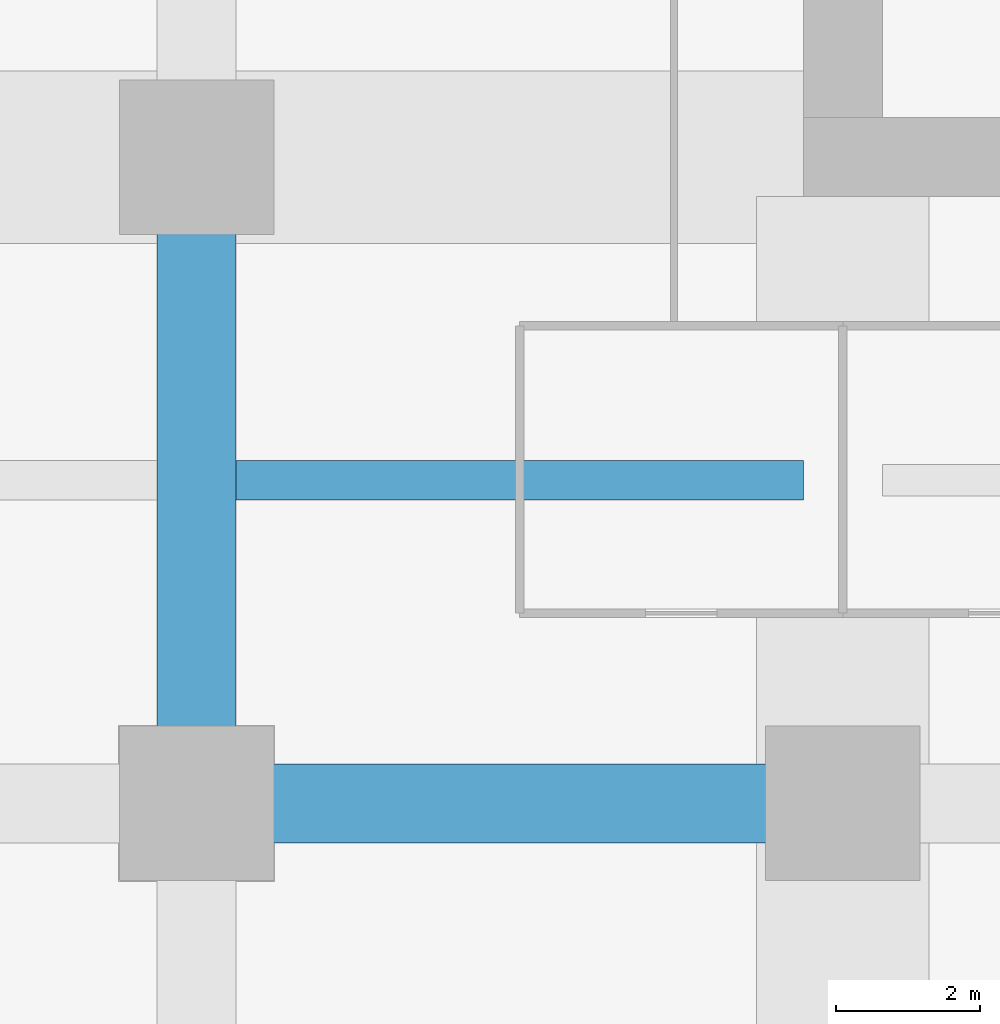
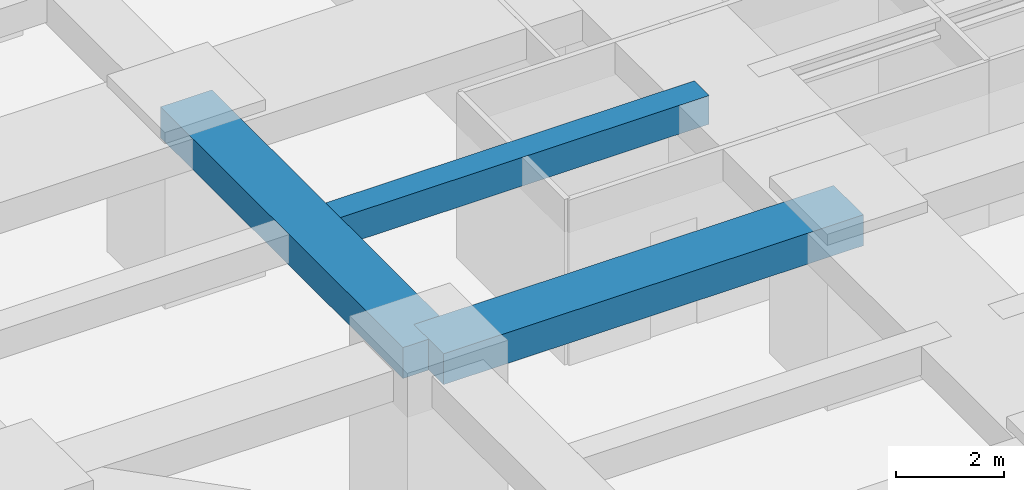
# One storey, part 5 of 44: 3 beams.
"""IFC4 building model written with IfcOpenShell, lengths in metres."""

from ifc_helpers import new_model, si_unit, direction, frame, origin, origin_2d, place, context, subcontext, project, spatial, rectangle, extrude, material, material_profile, profile_set, type_object, element, save


model = new_model("IFC4")

# Units and contexts
model_context = context("Model", 3, precision=1e-05, world=origin(), true_north=direction((0.0, 1.0)))
body_context = subcontext(model_context, "Body", "Model", "MODEL_VIEW")
ifc_project = project(units=[si_unit("LENGTHUNIT", "METRE"), si_unit("AREAUNIT", "SQUARE_METRE"), si_unit("VOLUMEUNIT", "CUBIC_METRE"), si_unit("PLANEANGLEUNIT", "RADIAN"), si_unit("MASSUNIT", "GRAM", prefix="KILO")], contexts=[model_context])

# Site, building, storey
site_placement = place(None, origin())
site = spatial("IfcSite", under=ifc_project, at=site_placement, CompositionType="ELEMENT")
building_placement = place(site_placement, origin())
building = spatial("IfcBuilding", under=site, at=building_placement, Name="Zorevar Civic Tower", CompositionType="ELEMENT")
storey_placement = place(building_placement, frame((0.0, 0.0, 63.800048828125)))
storey = spatial("IfcBuildingStorey", under=building, at=storey_placement, Name="L15", CompositionType="ELEMENT", Elevation=63.800048828125)

# Beams
ifc_material_1 = material(Name="Concrete C50/60", Category="concrete")
ifc_material_profile_1 = material_profile(ifc_material_1, rectangle(XDim=1.10009765625, YDim=0.699951171875, at=origin_2d()), Name="RC 1100x700")
ifc_profile_set_1 = profile_set([ifc_material_profile_1], Name="Concrete C50/60")
beam_type_1 = type_object("IfcBeamType", Name="Beam RC 1100x700", PredefinedType="BEAM", material=ifc_profile_set_1)
for number, where, z_axis, x_axis, name in (
    (1, (9.0, 9.0, 3.39990234375), (1.0, 0.0, 0.0), (0.0, 1.0, 0.0), "Girder L16"),
    (2, (9.0, 9.0, 3.39990234375), (0.0, 1.0, 0.0), (-1.0, 0.0, 0.0), "Girder L16"),
):
    element("IfcBeam", number, at=place(storey_placement, frame(where, z_axis=z_axis, x_axis=x_axis)), inside=storey, type_object=beam_type_1, Name=name, PredefinedType="BEAM", context=body_context, shape_type="SweptSolid", body=[
        extrude(rectangle(XDim=1.10009765625, YDim=0.699951171875, at=origin_2d()), origin(), (0.0, 0.0, 1.0), 9.0),
    ])
ifc_material_2 = material(Name="Concrete C50/60", Category="concrete")
ifc_material_profile_2 = material_profile(ifc_material_2, rectangle(XDim=0.550048828125, YDim=0.64990234375, at=origin_2d()), Name="RC 550x650")
ifc_profile_set_2 = profile_set([ifc_material_profile_2], Name="Concrete C50/60")
beam_type_2 = type_object("IfcBeamType", Name="Beam RC 550x650", PredefinedType="BEAM", material=ifc_profile_set_2)
beam_placement = place(storey_placement, frame((9.550048828125, 13.5, 3.425048828125), z_axis=(1.0, 0.0, 0.0), x_axis=(0.0, 1.0, 0.0)))
element("IfcBeam", 3, at=beam_placement, inside=storey, type_object=beam_type_2, Name="Secondary beam L16", PredefinedType="BEAM", context=body_context, shape_type="SweptSolid", body=[
    extrude(rectangle(XDim=0.550048828125, YDim=0.64990234375, at=origin_2d()), origin(), (0.0, 0.0, 1.0), 7.89990234375),
])

save(model, "model.ifc")
